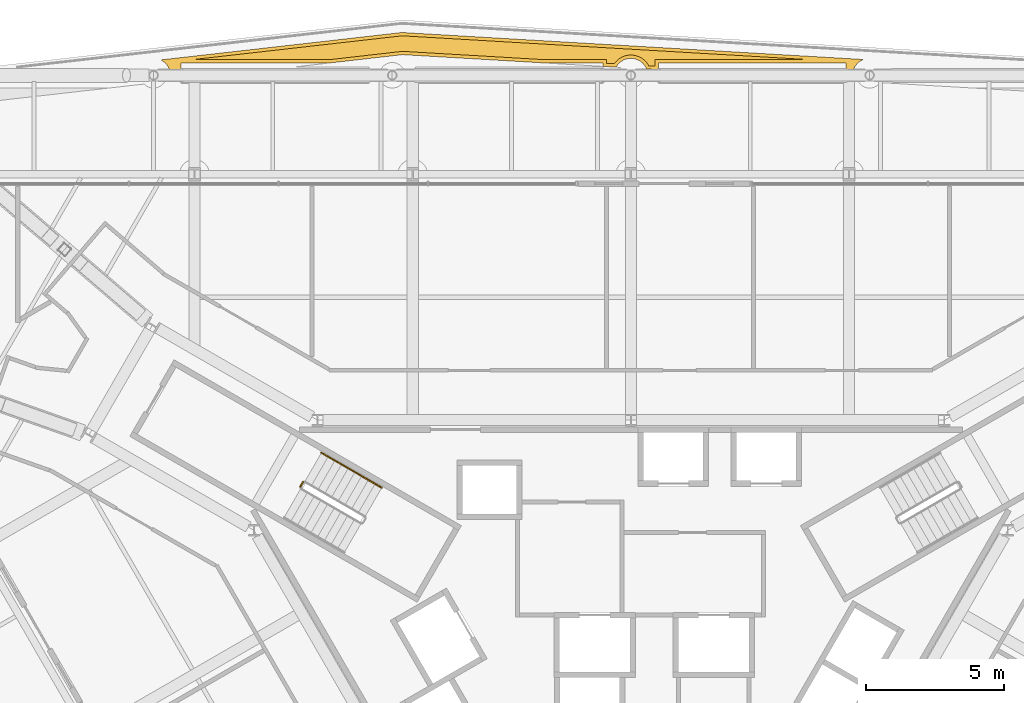
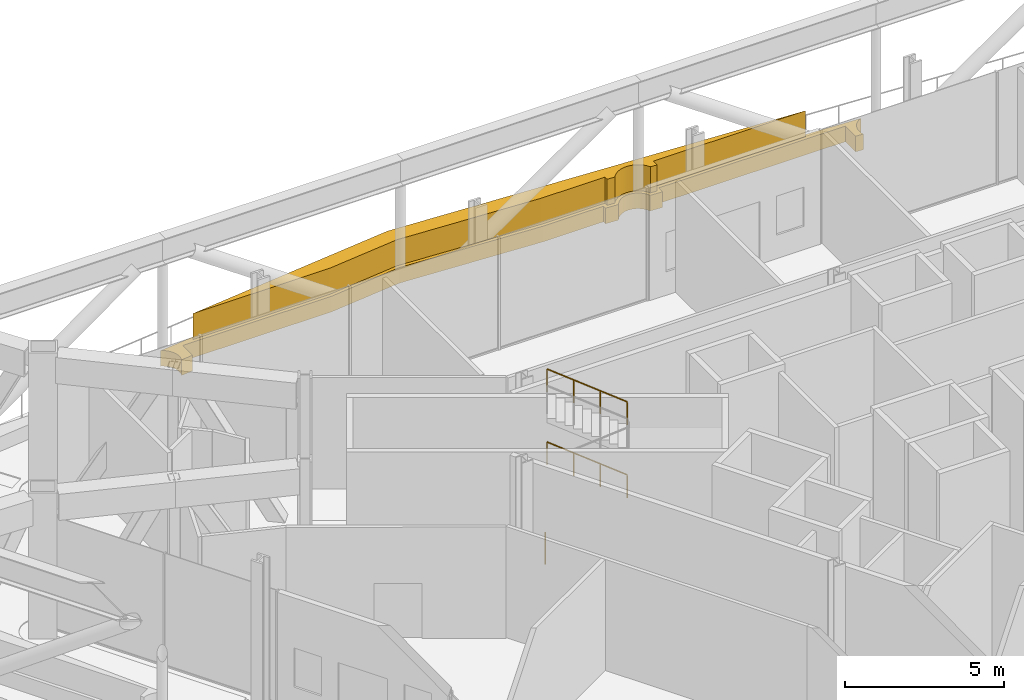
# One storey, part 24 of 26: 3 railings, 2 coverings.
"""IFC4 building model written with IfcOpenShell, lengths in metres."""

from ifc_helpers import new_model, si_unit, direction, frame, origin, origin_2d, place, context, subcontext, project, spatial, polyline, circle, outline, extrude, material, type_object, element, save


model = new_model("IFC4")

# Units and contexts
model_context = context("Model", 3, precision=1e-05, world=origin(), true_north=direction((0.0, 1.0)))
body_context = subcontext(model_context, "Body", "Model", "MODEL_VIEW")
ifc_project = project(units=[si_unit("LENGTHUNIT", "METRE"), si_unit("AREAUNIT", "SQUARE_METRE"), si_unit("VOLUMEUNIT", "CUBIC_METRE"), si_unit("PLANEANGLEUNIT", "RADIAN"), si_unit("MASSUNIT", "GRAM", prefix="KILO")], contexts=[model_context])

# Site, building, storey
site_placement = place(None, origin())
site = spatial("IfcSite", under=ifc_project, at=site_placement, CompositionType="ELEMENT")
building_placement = place(site_placement, origin())
building = spatial("IfcBuilding", under=site, at=building_placement, Name="Verrane Prism Tower", CompositionType="ELEMENT")
storey_placement = place(building_placement, frame((0.0, 0.0, 87.199951171875)))
storey = spatial("IfcBuildingStorey", under=building, at=storey_placement, Name="L20", CompositionType="ELEMENT", Elevation=87.199951171875)

# Coverings
ifc_material_1 = material(Name="Planting medium in stone kerb", Category="masonry")
covering_type_1 = type_object("IfcCoveringType", Name="Planter bed 600", PredefinedType="USERDEFINED", material=ifc_material_1)
covering_1_placement = place(storey_placement, origin())
element("IfcCovering", 1, at=covering_1_placement, inside=storey, type_object=covering_type_1, Name="Planter bed L20 4", ObjectType="PLANTER", PredefinedType="USERDEFINED", context=body_context, shape_type="SweptSolid", body=[
    extrude(outline(polyline([(-17.006103515625, 22.226806640625), (-16.97119140625, 22.210205078125), (-16.919677734375, 22.17919921875), (-16.871337890625, 22.1435546875), (-16.826904296875, 22.10302734375), (-16.78662109375, 22.05859375), (-16.750732421875, 22.01025390625), (-16.7197265625, 21.958740234375), (-16.694091796875, 21.904296875), (-16.673828125, 21.847900390625), (-16.6591796875, 21.78955078125), (-16.650390625, 21.72998046875), (-16.6474609375, 21.669921875), (-16.650390625, 21.610107421875), (-16.6591796875, 21.550537109375), (-16.673828125, 21.4921875), (-16.68603515625, 21.4580078125), (-16.260986328125, 21.50634765625), (-16.260986328125, 22.1201171875), (-10.857177734375, 22.1201171875), (-8.252197265625, 22.416015625), (-3.19580078125, 22.1201171875), (-0.9990234375, 22.1201171875), (-0.9990234375, 21.991455078125), (-0.536865234375, 21.96435546875), (-0.50927734375, 22.01025390625), (-0.473388671875, 22.05859375), (-0.43310546875, 22.10302734375), (-0.388671875, 22.1435546875), (-0.34033203125, 22.17919921875), (-0.288818359375, 22.210205078125), (-0.234375, 22.23583984375), (-0.177734375, 22.256103515625), (-0.119384765625, 22.270751953125), (-0.06005859375, 22.279541015625), (0.0, 22.28271484375), (0.06005859375, 22.279541015625), (0.119384765625, 22.270751953125), (0.177734375, 22.256103515625), (0.234375, 22.23583984375), (0.288818359375, 22.210205078125), (0.34033203125, 22.17919921875), (0.388671875, 22.1435546875), (0.43310546875, 22.10302734375), (0.473388671875, 22.05859375), (0.50927734375, 22.01025390625), (0.540283203125, 21.958740234375), (0.567626953125, 21.89990234375), (0.9990234375, 21.87451171875), (0.9990234375, 22.1201171875), (7.78369140625, 22.1201171875), (7.78369140625, 21.4775390625), (8.0546875, 21.461669921875), (8.043701171875, 21.4921875), (8.029296875, 21.550537109375), (8.0205078125, 21.610107421875), (8.017333984375, 21.669921875), (8.0205078125, 21.72998046875), (8.029296875, 21.78955078125), (8.043701171875, 21.847900390625), (8.064208984375, 21.904296875), (8.08984375, 21.958740234375), (8.12060546875, 22.01025390625), (8.156494140625, 22.05859375), (8.197021484375, 22.10302734375), (8.241455078125, 22.1435546875), (8.289794921875, 22.17919921875), (8.34130859375, 22.210205078125), (8.4091796875, 22.242431640625), (-8.2744140625, 23.218505859375), (-17.006103515625, 22.226806640625)])), origin(), (0.0, 0.0, 1.0), 0.60009765625),
])
ifc_material_2 = material(Name="Planted shrubs and grasses", Category="other")
covering_type_2 = type_object("IfcCoveringType", Name="Planting mass 1000", PredefinedType="USERDEFINED", material=ifc_material_2)
covering_2_placement = place(storey_placement, frame((0.0, 0.0, 0.60009765625)))
element("IfcCovering", 2, at=covering_2_placement, inside=storey, type_object=covering_type_2, Name="Planting L20 4", ObjectType="PLANTING", PredefinedType="USERDEFINED", context=body_context, shape_type="SweptSolid", body=[
    extrude(outline(polyline([(-10.864013671875, 22.239990234375), (-8.255615234375, 22.536376953125), (-3.1923828125, 22.239990234375), (-0.879150390625, 22.239990234375), (-0.879150390625, 22.104736328125), (-0.600830078125, 22.08837890625), (-0.56640625, 22.134765625), (-0.51806640625, 22.18798828125), (-0.46484375, 22.236328125), (-0.406982421875, 22.279296875), (-0.345458984375, 22.316162109375), (-0.280517578125, 22.346923828125), (-0.212646484375, 22.37109375), (-0.142822265625, 22.388671875), (-0.07177734375, 22.399169921875), (0.0, 22.402587890625), (0.07177734375, 22.399169921875), (0.142822265625, 22.388671875), (0.212646484375, 22.37109375), (0.280517578125, 22.346923828125), (0.345458984375, 22.316162109375), (0.406982421875, 22.279296875), (0.46484375, 22.236328125), (0.51806640625, 22.18798828125), (0.56640625, 22.134765625), (0.609130859375, 22.0771484375), (0.646240234375, 22.015380859375), (0.879150390625, 22.001708984375), (0.879150390625, 22.239990234375), (6.39501953125, 22.239990234375), (-8.27099609375, 23.09814453125), (-15.826171875, 22.239990234375), (-10.864013671875, 22.239990234375)])), origin(), (0.0, 0.0, 1.0), 1.0),
])

# Railings
ifc_material_3 = material(Name="Steel A36 rail and posts, no infill", Category="steel")
railing_type_1 = type_object("IfcRailingType", Name="Stair guard 1100 steel rail and posts", PredefinedType="GUARDRAIL", material=ifc_material_3)
railing_placement = place(storey_placement, frame((-11.957763671875, 6.788330078125, 0.0)))
element("IfcRailing", 3, at=railing_placement, inside=storey, type_object=railing_type_1, Name="Stair 2 guard", PredefinedType="GUARDRAIL", context=body_context, shape_type="SweptSolid", body=[
    extrude(circle(Radius=0.02392578125, at=origin_2d()), frame((0.0, 0.0, 1.076171875), z_axis=(0.499158860599, 0.866510491504, 0.0), x_axis=(-0.866510491504, 0.499158860599, 0.0)), (0.0, 0.0, 1.0), 0.199951171875),
    extrude(circle(Radius=0.02099609375, at=origin_2d()), origin(), (0.0, 0.0, 1.0), 1.052001953125),
    extrude(circle(Radius=0.02099609375, at=origin_2d()), frame((0.099853515625, 0.17333984375, 0.0)), (0.0, 0.0, 1.0), 1.052001953125),
])
ifc_material_4 = material(Name="Steel A36 tube", Category="steel")
railing_type_2 = type_object("IfcRailingType", Name="Stair handrail 900 steel tube", PredefinedType="HANDRAIL", material=ifc_material_4)
for number, where, name in (
    (4, (-9.007080078125, 6.759033203125, 1.5400390625), "Stair 2 handrail"),
    (5, (-9.007080078125, 6.759033203125, 4.340087890625), "Stair 2 handrail"),
):
    element("IfcRailing", number, at=place(storey_placement, frame(where)), inside=storey, type_object=railing_type_2, Name=name, PredefinedType="HANDRAIL", context=body_context, shape_type="SweptSolid", body=[
        extrude(circle(Radius=0.02392578125, at=origin_2d()), frame((0.0, 0.0, 0.8759765625), z_axis=(-0.77459271029, 0.44721702403, 0.44721702403), x_axis=(-0.500004791531, -0.866022637375, 0.0)), (0.0, 0.0, 1.0), 2.8173828125),
        extrude(circle(Radius=0.02099609375, at=origin_2d()), origin(), (0.0, 0.0, 1.0), 0.851806640625),
        extrude(circle(Radius=0.02099609375, at=origin_2d()), frame((-0.7275390625, 0.419921875, 0.419921875)), (0.0, 0.0, 1.0), 0.851806640625),
        extrude(circle(Radius=0.02099609375, at=origin_2d()), frame((-1.454833984375, 0.840087890625, 0.840087890625)), (0.0, 0.0, 1.0), 0.851806640625),
        extrude(circle(Radius=0.02099609375, at=origin_2d()), frame((-2.182373046875, 1.260009765625, 1.260009765625)), (0.0, 0.0, 1.0), 0.851806640625),
    ])

save(model, "model.ifc")
